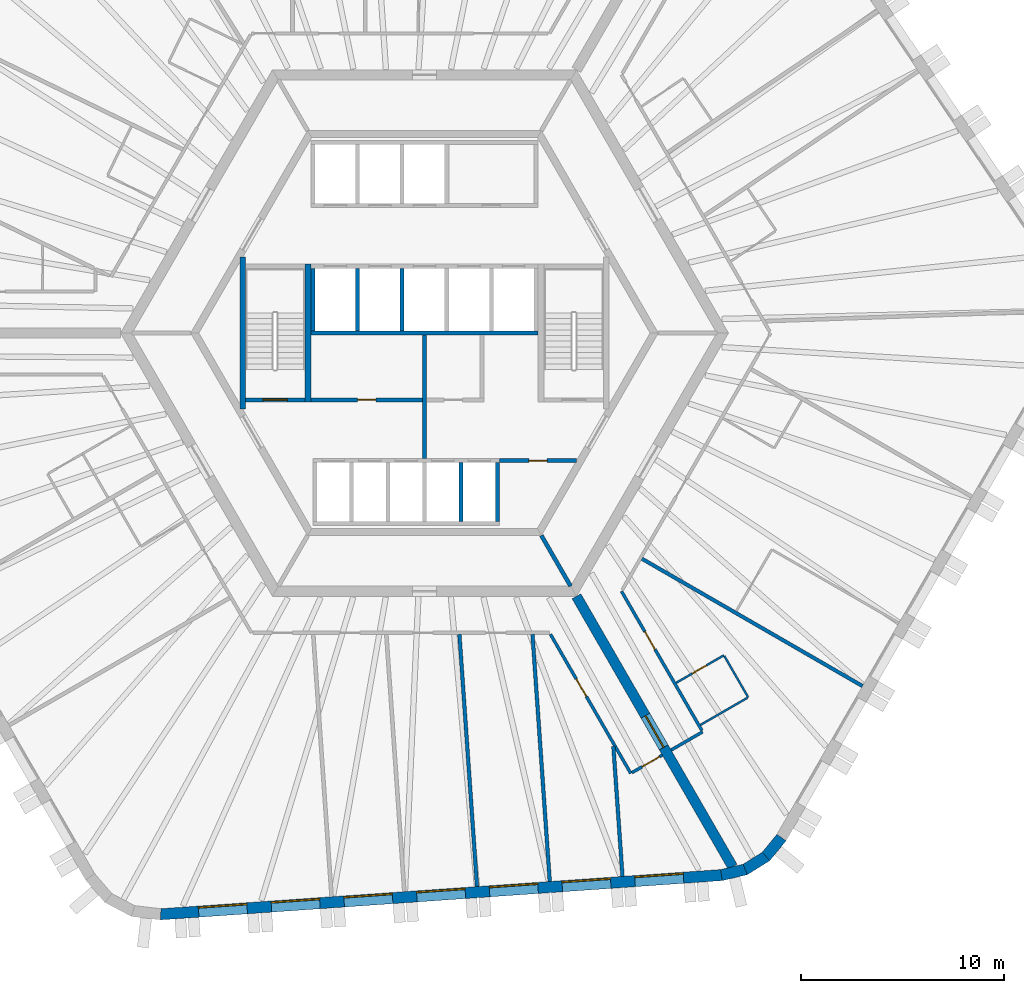
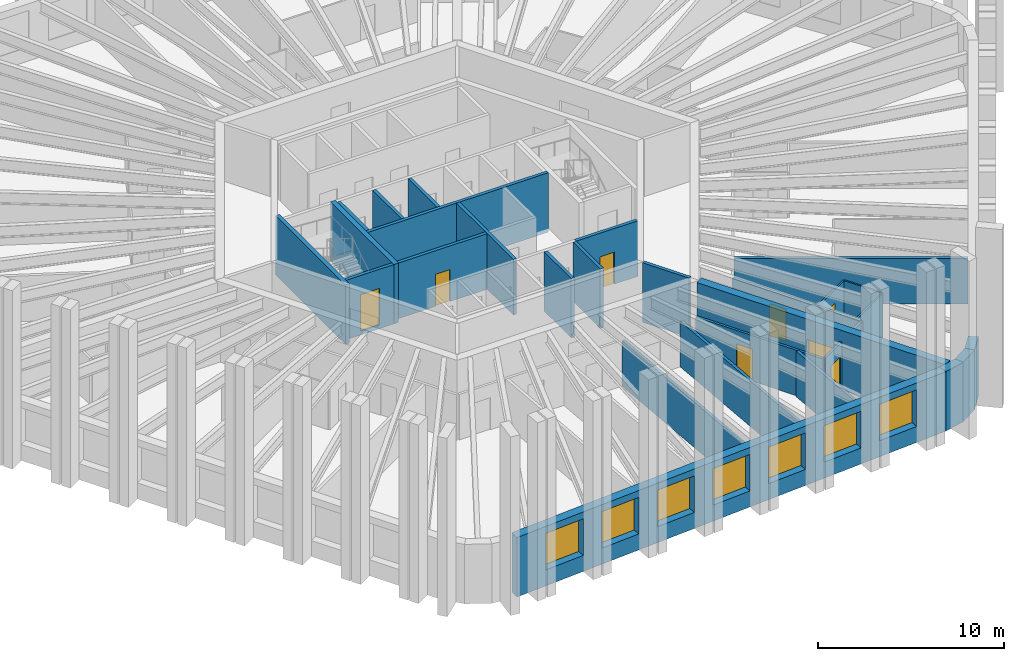
# One storey, part 4 of 10: 29 walls, 8 doors, 7 windows, 15 openings.
"""IFC4 building model written with IfcOpenShell, lengths in metres."""

from ifc_helpers import new_model, si_unit, direction, frame, frame_2d, origin, place, context, subcontext, project, spatial, polyline, rectangle, outline, extrude, material, layer, layer_set, type_object, element, fill, save


model = new_model("IFC4")

# Units and contexts
model_context = context("Model", 3, precision=1e-05, world=origin(), true_north=direction((0.0, 1.0)))
body_context = subcontext(model_context, "Body", "Model", "MODEL_VIEW")
ifc_project = project(units=[si_unit("LENGTHUNIT", "METRE"), si_unit("AREAUNIT", "SQUARE_METRE"), si_unit("VOLUMEUNIT", "CUBIC_METRE"), si_unit("PLANEANGLEUNIT", "RADIAN"), si_unit("MASSUNIT", "GRAM", prefix="KILO")], contexts=[model_context])

# Site, building, storey
site_placement = place(None, origin())
site = spatial("IfcSite", under=ifc_project, at=site_placement, CompositionType="ELEMENT")
building_placement = place(site_placement, origin())
building = spatial("IfcBuilding", under=site, at=building_placement, Name="Tarnside Tower", CompositionType="ELEMENT")
storey_placement = place(building_placement, frame((0.0, 0.0, 226.800048828125)))
storey = spatial("IfcBuildingStorey", under=building, at=storey_placement, Name="L54", CompositionType="ELEMENT", Elevation=226.800048828125)

# Wall, opening, door
ifc_material_1 = material(Name="Gypsum board partition on steel studs", Category="steel")
ifc_layer_1 = layer(ifc_material_1, 0.10009765625)
ifc_layer_set_1 = layer_set([ifc_layer_1], Name="Bathroom wall 100")
wall_type_1 = type_object("IfcWallType", Name="Bathroom wall 100", PredefinedType="PARTITIONING", material=ifc_layer_set_1)
wall_1_placement = place(storey_placement, frame((12.4267578125, -17.273681640625, 0.0), z_axis=(0.0, 0.0, 1.0), x_axis=(0.866051307416, 0.49995513091, 0.0)))
wall_1 = element("IfcWall", 1, at=wall_1_placement, inside=storey, type_object=wall_type_1, Name="Bathroom wall 18087", PredefinedType="PARTITIONING", context=body_context, shape_type="SweptSolid", body=[
    extrude(rectangle(XDim=2.724853515625, YDim=0.10009765625, at=frame_2d((1.3623046875, 0.0))), origin(), (0.0, 0.0, 1.0), 2.98779296875),
])
opening_1_placement = place(wall_1_placement, frame((0.925048828125, 0.0, 0.0)))
opening_1 = element("IfcOpeningElement", 2, at=opening_1_placement, cuts=wall_1, Name="Opening D-B1", PredefinedType="OPENING", context=body_context, shape_type="SweptSolid", body=[
    extrude(rectangle(XDim=0.800048828125, YDim=2.10009765625, at=frame_2d((0.39990234375, 1.050048828125))), frame((0.0, 0.06005859375, 0.0), z_axis=(0.0, -1.0, 0.0), x_axis=(1.0, 0.0, 0.0)), (0.0, 0.0, 1.0), 0.1201171875),
])
ifc_material_2 = material(Name="Timber door leaf", Category="wood")
door_type_1 = type_object("IfcDoorType", Name="Bathroom door 800", OperationType="NOTDEFINED", PredefinedType="DOOR", material=ifc_material_2)
door_1_placement = place(opening_1_placement, origin())
door_1 = element("IfcDoor", 3, at=door_1_placement, inside=storey, type_object=door_type_1, Name="Bathroom door 18025", OperationType="SINGLE_SWING_RIGHT", OverallHeight=2.10009765625, OverallWidth=0.800048828125, PredefinedType="DOOR", context=body_context, shape_type="SweptSolid", body=[
    extrude(rectangle(XDim=0.800048828125, YDim=2.10009765625, at=frame_2d((0.39990234375, 1.050048828125))), frame((0.0, 0.02490234375, 0.0), z_axis=(0.0, -1.0, 0.0), x_axis=(1.0, 0.0, 0.0)), (0.0, 0.0, 1.0), 0.050048828125),
])
fill(opening_1, door_1)

# Walls
wall_2_placement = place(storey_placement, frame((14.811767578125, -15.95458984375, 0.0), z_axis=(0.0, 0.0, 1.0), x_axis=(0.499938297808, -0.866061024631, 0.0)))
element("IfcWall", 4, at=wall_2_placement, inside=storey, type_object=wall_type_1, Name="Bathroom wall 18088", PredefinedType="PARTITIONING", context=body_context, shape_type="SweptSolid", body=[
    extrude(rectangle(XDim=2.349853515625, YDim=0.10009765625, at=frame_2d((1.1748046875, 0.0))), origin(), (0.0, 0.0, 1.0), 2.98779296875),
])
wall_3_placement = place(storey_placement, frame((15.943359375, -18.0146484375, 0.0), z_axis=(0.0, 0.0, 1.0), x_axis=(-0.866004723184, -0.50003581814, 0.0)))
element("IfcWall", 5, at=wall_3_placement, inside=storey, type_object=wall_type_1, Name="Bathroom wall 18089", PredefinedType="PARTITIONING", context=body_context, shape_type="SweptSolid", body=[
    extrude(rectangle(XDim=2.675048828125, YDim=0.10009765625, at=frame_2d((1.33740234375, 0.0))), origin(), (0.0, 0.0, 1.0), 2.98779296875),
])

# Wall, opening, door
ifc_material_3 = material(Name="Concrete C40/50", Category="concrete")
ifc_layer_2 = layer(ifc_material_3, 0.199951171875)
ifc_layer_set_2 = layer_set([ifc_layer_2], Name="Core room partition 200 C40/50")
wall_type_2 = type_object("IfcWallType", Name="Core room partition 200 C40/50", PredefinedType="PARTITIONING", material=ifc_layer_set_2)
wall_4_placement = place(storey_placement, frame((-5.60009765625, -3.300048828125, 0.0), z_axis=(0.0, 0.0, 1.0), x_axis=(1.0, 0.0, 0.0)))
wall_4 = element("IfcWall", 6, at=wall_4_placement, inside=storey, type_object=wall_type_2, Name="L54 core partition W3", PredefinedType="PARTITIONING", context=body_context, shape_type="SweptSolid", body=[
    extrude(rectangle(XDim=5.5, YDim=0.199951171875, at=frame_2d((2.75, 0.0))), origin(), (0.0, 0.0, 1.0), 3.64990234375),
])
opening_2_placement = place(wall_4_placement, frame((2.300048828125, 0.0, 0.0)))
opening_2 = element("IfcOpeningElement", 7, at=opening_2_placement, cuts=wall_4, Name="Opening CD-room", PredefinedType="OPENING", context=body_context, shape_type="SweptSolid", body=[
    extrude(rectangle(XDim=0.89990234375, YDim=2.10009765625, at=frame_2d((0.449951171875, 1.050048828125))), frame((0.0, 0.10986328125, 0.0), z_axis=(0.0, -1.0, 0.0), x_axis=(1.0, 0.0, 0.0)), (0.0, 0.0, 1.0), 0.219970703125),
])
ifc_material_4 = material(Name="Steel fire door", Category="steel")
door_type_2 = type_object("IfcDoorType", Name="Room door FD60 900x2100", OperationType="NOTDEFINED", PredefinedType="DOOR", material=ifc_material_4)
door_2_placement = place(opening_2_placement, origin())
door_2 = element("IfcDoor", 8, at=door_2_placement, inside=storey, type_object=door_type_2, Name="L54 core room door W3D", OperationType="SINGLE_SWING_LEFT", OverallHeight=2.10009765625, OverallWidth=0.89990234375, PredefinedType="DOOR", context=body_context, shape_type="SweptSolid", body=[
    extrude(rectangle(XDim=0.89990234375, YDim=2.10009765625, at=frame_2d((0.449951171875, 1.050048828125))), frame((0.0, 0.02490234375, 0.0), z_axis=(0.0, -1.0, 0.0), x_axis=(1.0, 0.0, 0.0)), (0.0, 0.0, 1.0), 0.050048828125),
])
fill(opening_2, door_2)

# Wall
wall_5_placement = place(storey_placement, frame((0.0, -6.199951171875, 0.0), z_axis=(0.0, 0.0, 1.0), x_axis=(0.0, 1.0, 0.0)))
element("IfcWall", 9, at=wall_5_placement, inside=storey, type_object=wall_type_2, Name="L54 core partition X0", PredefinedType="PARTITIONING", context=body_context, shape_type="SweptSolid", body=[
    extrude(rectangle(XDim=6.099853515625, YDim=0.199951171875, at=frame_2d((3.0498046875, 0.0))), origin(), (0.0, 0.0, 1.0), 3.64990234375),
])

# Wall, opening, door
wall_6_placement = place(storey_placement, frame((3.699951171875, -6.300048828125, 0.0), z_axis=(0.0, 0.0, 1.0), x_axis=(1.0, 0.0, 0.0)))
wall_6 = element("IfcWall", 10, at=wall_6_placement, inside=storey, type_object=wall_type_2, Name="L54 core partition R4X", PredefinedType="PARTITIONING", context=body_context, shape_type="SweptSolid", body=[
    extrude(rectangle(XDim=3.8056640625, YDim=0.199951171875, at=frame_2d((1.90283203125, 0.0))), origin(), (0.0, 0.0, 1.0), 3.64990234375),
])
opening_3_placement = place(wall_6_placement, frame((1.452880859375, 0.0, 0.0)))
opening_3 = element("IfcOpeningElement", 11, at=opening_3_placement, cuts=wall_6, Name="Opening CD-room", PredefinedType="OPENING", context=body_context, shape_type="SweptSolid", body=[
    extrude(rectangle(XDim=0.89990234375, YDim=2.10009765625, at=frame_2d((0.449951171875, 1.050048828125))), frame((0.0, 0.10986328125, 0.0), z_axis=(0.0, -1.0, 0.0), x_axis=(1.0, 0.0, 0.0)), (0.0, 0.0, 1.0), 0.219970703125),
])
door_3_placement = place(opening_3_placement, origin())
door_3 = element("IfcDoor", 12, at=door_3_placement, inside=storey, type_object=door_type_2, Name="L54 core room door RX", OperationType="SINGLE_SWING_LEFT", OverallHeight=2.10009765625, OverallWidth=0.89990234375, PredefinedType="DOOR", context=body_context, shape_type="SweptSolid", body=[
    extrude(rectangle(XDim=0.89990234375, YDim=2.10009765625, at=frame_2d((0.449951171875, 1.050048828125))), frame((0.0, 0.02490234375, 0.0), z_axis=(0.0, -1.0, 0.0), x_axis=(1.0, 0.0, 0.0)), (0.0, 0.0, 1.0), 0.050048828125),
])
fill(opening_3, door_3)

ifc_material_5 = material(Name="Concrete C70/85", Category="concrete")
ifc_layer_3 = layer(ifc_material_5, 0.5)
ifc_layer_set_3 = layer_set([ifc_layer_3], Name="Core wall Z2 500 C70/85")
wall_type_3 = type_object("IfcWallType", Name="Core wall Z2 500 C70/85", PredefinedType="SHEAR", material=ifc_layer_set_3)
wall_7_placement = place(storey_placement, frame((7.505615234375, -13.0, -0.150146484375), z_axis=(0.0, 0.0, 1.0), x_axis=(0.499988271576, -0.866032175087, 0.0)))
wall_7 = element("IfcWall", 13, at=wall_7_placement, inside=storey, type_object=wall_type_3, Name="L54 spine wall 3", PredefinedType="SHEAR", context=body_context, shape_type="SweptSolid", body=[
    extrude(rectangle(XDim=15.423583984375, YDim=0.5, at=frame_2d((7.7119140625, 0.0))), origin(), (0.0, 0.0, 1.0), 3.900146484375),
])
opening_4_placement = place(wall_7_placement, frame((6.811767578125, 0.0, 0.14990234375)))
opening_4 = element("IfcOpeningElement", 14, at=opening_4_placement, cuts=wall_7, Name="Opening CD-SPN", PredefinedType="OPENING", context=body_context, shape_type="SweptSolid", body=[
    extrude(rectangle(XDim=1.800048828125, YDim=2.39990234375, at=frame_2d((0.89990234375, 1.199951171875))), frame((0.0, 0.260009765625, 0.0), z_axis=(0.0, -1.0, 0.0), x_axis=(1.0, 0.0, 0.0)), (0.0, 0.0, 1.0), 0.52001953125),
])
door_type_3 = type_object("IfcDoorType", Name="Spine passage double door FD60 1800x2400", OperationType="NOTDEFINED", PredefinedType="DOOR", material=ifc_material_4)
door_4_placement = place(opening_4_placement, origin())
door_4 = element("IfcDoor", 15, at=door_4_placement, inside=storey, type_object=door_type_3, Name="L54 spine passage door 3", OperationType="DOUBLE_DOOR_SINGLE_SWING", OverallHeight=2.39990234375, OverallWidth=1.800048828125, PredefinedType="DOOR", context=body_context, shape_type="SweptSolid", body=[
    extrude(rectangle(XDim=1.800048828125, YDim=2.39990234375, at=frame_2d((0.89990234375, 1.199951171875))), frame((0.0, 0.02490234375, 0.0), z_axis=(0.0, -1.0, 0.0), x_axis=(1.0, 0.0, 0.0)), (0.0, 0.0, 1.0), 0.050048828125),
])
fill(opening_4, door_4)

ifc_layer_4 = layer(ifc_material_1, 0.14990234375)
ifc_layer_set_4 = layer_set([ifc_layer_4], Name="Corridor wall 150 EI 60")
wall_type_4 = type_object("IfcWallType", Name="Corridor wall 150 EI 60", PredefinedType="PARTITIONING", material=ifc_layer_set_4)
wall_8_placement = place(storey_placement, frame((6.220947265625, -14.875, 0.0), z_axis=(0.0, 0.0, 1.0), x_axis=(0.499989830942, -0.866031274813, 0.0)))
wall_8 = element("IfcWall", 16, at=wall_8_placement, inside=storey, type_object=wall_type_4, Name="Corridor wall 18031", PredefinedType="PARTITIONING", context=body_context, shape_type="SweptSolid", body=[
    extrude(rectangle(XDim=7.930419921875, YDim=0.14990234375, at=frame_2d((3.96533203125, 0.0))), origin(), (0.0, 0.0, 1.0), 2.98779296875),
])
opening_5_placement = place(wall_8_placement, frame((2.552001953125, 0.0, 0.0)))
opening_5 = element("IfcOpeningElement", 17, at=opening_5_placement, cuts=wall_8, Name="Opening D-E1", PredefinedType="OPENING", context=body_context, shape_type="SweptSolid", body=[
    extrude(rectangle(XDim=1.0, YDim=2.10009765625, at=frame_2d((0.5, 1.050048828125))), frame((0.0, 0.0849609375, 0.0), z_axis=(0.0, -1.0, 0.0), x_axis=(1.0, 0.0, 0.0)), (0.0, 0.0, 1.0), 0.169921875),
])
door_type_4 = type_object("IfcDoorType", Name="Unit entrance door 1000 FD30S", OperationType="NOTDEFINED", PredefinedType="DOOR", material=ifc_material_2)
door_5_placement = place(opening_5_placement, origin())
door_5 = element("IfcDoor", 18, at=door_5_placement, inside=storey, type_object=door_type_4, Name="Unit door 18022", OperationType="SINGLE_SWING_RIGHT", OverallHeight=2.10009765625, OverallWidth=1.0, PredefinedType="DOOR", context=body_context, shape_type="SweptSolid", body=[
    extrude(rectangle(XDim=1.0, YDim=2.10009765625, at=frame_2d((0.5, 1.050048828125))), frame((0.0, 0.02490234375, 0.0), z_axis=(0.0, -1.0, 0.0), x_axis=(1.0, 0.0, 0.0)), (0.0, 0.0, 1.0), 0.050048828125),
])
fill(opening_5, door_5)

wall_9_placement = place(storey_placement, frame((10.2509765625, -21.705322265625, 0.0), z_axis=(0.0, 0.0, 1.0), x_axis=(0.866013532718, 0.500020560727, 0.0)))
wall_9 = element("IfcWall", 19, at=wall_9_placement, inside=storey, type_object=wall_type_4, Name="Corridor wall 18033", PredefinedType="PARTITIONING", context=body_context, shape_type="SweptSolid", body=[
    extrude(rectangle(XDim=1.72509765625, YDim=0.14990234375, at=frame_2d((0.862548828125, 0.0))), origin(), (0.0, 0.0, 1.0), 2.98779296875),
])
opening_6_placement = place(wall_9_placement, frame((0.574951171875, 0.0, 0.0)))
opening_6 = element("IfcOpeningElement", 20, at=opening_6_placement, cuts=wall_9, Name="Opening D-E1", PredefinedType="OPENING", context=body_context, shape_type="SweptSolid", body=[
    extrude(rectangle(XDim=1.0, YDim=2.10009765625, at=frame_2d((0.5, 1.050048828125))), frame((0.0, 0.0849609375, 0.0), z_axis=(0.0, -1.0, 0.0), x_axis=(1.0, 0.0, 0.0)), (0.0, 0.0, 1.0), 0.169921875),
])
door_6_placement = place(opening_6_placement, origin())
door_6 = element("IfcDoor", 21, at=door_6_placement, inside=storey, type_object=door_type_4, Name="Unit door 18023", OperationType="SINGLE_SWING_LEFT", OverallHeight=2.10009765625, OverallWidth=1.0, PredefinedType="DOOR", context=body_context, shape_type="SweptSolid", body=[
    extrude(rectangle(XDim=1.0, YDim=2.10009765625, at=frame_2d((0.5, 1.050048828125))), frame((0.0, 0.02490234375, 0.0), z_axis=(0.0, -1.0, 0.0), x_axis=(1.0, 0.0, 0.0)), (0.0, 0.0, 1.0), 0.050048828125),
])
fill(opening_6, door_6)

wall_10_placement = place(storey_placement, frame((13.69921875, -19.6279296875, 0.0), z_axis=(0.0, 0.0, 1.0), x_axis=(-0.499997422768, 0.866026891745, 0.0)))
wall_10 = element("IfcWall", 22, at=wall_10_placement, inside=storey, type_object=wall_type_4, Name="Corridor wall 18034", PredefinedType="PARTITIONING", context=body_context, shape_type="SweptSolid", body=[
    extrude(rectangle(XDim=7.94189453125, YDim=0.14990234375, at=frame_2d((3.970947265625, 0.0))), origin(), (0.0, 0.0, 1.0), 2.98779296875),
])
opening_7_placement = place(wall_10_placement, frame((4.633544921875, 0.0, 0.0)))
opening_7 = element("IfcOpeningElement", 23, at=opening_7_placement, cuts=wall_10, Name="Opening D-E1", PredefinedType="OPENING", context=body_context, shape_type="SweptSolid", body=[
    extrude(rectangle(XDim=1.0, YDim=2.10009765625, at=frame_2d((0.5, 1.050048828125))), frame((0.0, 0.0849609375, 0.0), z_axis=(0.0, -1.0, 0.0), x_axis=(1.0, 0.0, 0.0)), (0.0, 0.0, 1.0), 0.169921875),
])
door_7_placement = place(opening_7_placement, origin())
door_7 = element("IfcDoor", 24, at=door_7_placement, inside=storey, type_object=door_type_4, Name="Unit door 18024", OperationType="SINGLE_SWING_LEFT", OverallHeight=2.10009765625, OverallWidth=1.0, PredefinedType="DOOR", context=body_context, shape_type="SweptSolid", body=[
    extrude(rectangle(XDim=1.0, YDim=2.10009765625, at=frame_2d((0.5, 1.050048828125))), frame((0.0, 0.02490234375, 0.0), z_axis=(0.0, -1.0, 0.0), x_axis=(1.0, 0.0, 0.0)), (0.0, 0.0, 1.0), 0.050048828125),
])
fill(opening_7, door_7)

# Walls
wall_11_placement = place(storey_placement, frame((12.177978515625, -20.5927734375, 0.0), z_axis=(0.0, 0.0, 1.0), x_axis=(0.866047807691, 0.499961193289, 0.0)))
element("IfcWall", 25, at=wall_11_placement, inside=storey, type_object=wall_type_4, Name="Corridor wall 18036", PredefinedType="PARTITIONING", context=body_context, shape_type="SweptSolid", body=[
    extrude(rectangle(XDim=1.800048828125, YDim=0.14990234375, at=frame_2d((0.89990234375, 0.0))), origin(), (0.0, 0.0, 1.0), 2.98779296875),
])
ifc_layer_5 = layer(ifc_material_1, 0.179931640625)
ifc_layer_set_5 = layer_set([ifc_layer_5], Name="Demising wall 180 EI 60")
wall_type_5 = type_object("IfcWallType", Name="Demising wall 180 EI 60", PredefinedType="PARTITIONING", material=ifc_layer_set_5)
wall_12_placement = place(storey_placement, frame((2.59521484375, -27.33544921875, 0.0), z_axis=(0.0, 0.0, 1.0), x_axis=(-0.069757939761, 0.997563947745, 0.0)))
element("IfcWall", 26, at=wall_12_placement, inside=storey, type_object=wall_type_5, Name="Demising wall 18084", PredefinedType="PARTITIONING", context=body_context, shape_type="SweptSolid", body=[
    extrude(rectangle(XDim=12.490966796875, YDim=0.179931640625, at=frame_2d((6.24560546875, 0.0))), origin(), (0.0, 0.0, 1.0), 2.98779296875),
])
wall_13_placement = place(storey_placement, frame((6.1865234375, -27.08447265625, 0.0), z_axis=(0.0, 0.0, 1.0), x_axis=(-0.069755682409, 0.997564105595, 0.0)))
element("IfcWall", 27, at=wall_13_placement, inside=storey, type_object=wall_type_5, Name="Demising wall 18085", PredefinedType="PARTITIONING", context=body_context, shape_type="SweptSolid", body=[
    extrude(rectangle(XDim=12.2392578125, YDim=0.179931640625, at=frame_2d((6.11962890625, 0.0))), origin(), (0.0, 0.0, 1.0), 2.98779296875),
])
wall_14_placement = place(storey_placement, frame((9.777587890625, -26.833251953125, 0.0), z_axis=(0.0, 0.0, 1.0), x_axis=(-0.069733334443, 0.997565668048, 0.0)))
element("IfcWall", 28, at=wall_14_placement, inside=storey, type_object=wall_type_5, Name="Demising wall 18086", PredefinedType="PARTITIONING", context=body_context, shape_type="SweptSolid", body=[
    extrude(rectangle(XDim=6.44189453125, YDim=0.179931640625, at=frame_2d((3.220947265625, 0.0))), origin(), (0.0, 0.0, 1.0), 2.98779296875),
])
wall_15_placement = place(storey_placement, frame((21.63134765625, -17.433349609375, 0.0), z_axis=(0.0, 0.0, 1.0), x_axis=(-0.866032662629, 0.499987427101, 0.0)))
element("IfcWall", 29, at=wall_15_placement, inside=storey, type_object=wall_type_5, Name="Demising wall 18090", PredefinedType="PARTITIONING", context=body_context, shape_type="SweptSolid", body=[
    extrude(rectangle(XDim=12.574951171875, YDim=0.179931640625, at=frame_2d((6.28759765625, 0.0))), origin(), (0.0, 0.0, 1.0), 2.98779296875),
])
ifc_layer_6 = layer(ifc_material_3, 0.199951171875)
ifc_layer_set_6 = layer_set([ifc_layer_6], Name="Lift shaft wall 200 C40/50")
wall_type_6 = type_object("IfcWallType", Name="Lift shaft wall 200 C40/50", PredefinedType="SHEAR", material=ifc_layer_set_6)
wall_16_placement = place(storey_placement, frame((-5.60009765625, 0.0, -0.25), z_axis=(0.0, 0.0, 1.0), x_axis=(1.0, 0.0, 0.0)))
element("IfcWall", 30, at=wall_16_placement, inside=storey, type_object=wall_type_6, Name="L54 lift shaft back wall R2", PredefinedType="SHEAR", context=body_context, shape_type="SweptSolid", body=[
    extrude(rectangle(XDim=11.2001953125, YDim=0.199951171875, at=frame_2d((5.60009765625, 0.0))), origin(), (0.0, 0.0, 1.0), 3.89990234375),
])
for number, where, z_axis, x_axis, name in (
    (31, (-5.5, 0.10009765625, -0.25), (0.0, 0.0, 1.0), (0.0, 1.0, 0.0), "L54 lift shaft partition R21"),
    (32, (-3.300048828125, 0.10009765625, -0.25), (0.0, 0.0, 1.0), (0.0, 1.0, 0.0), "L54 lift shaft partition R22"),
    (33, (-1.10009765625, 0.10009765625, -0.25), (0.0, 0.0, 1.0), (0.0, 1.0, 0.0), "L54 lift shaft partition R23"),
):
    element("IfcWall", number, at=place(storey_placement, frame(where, z_axis=z_axis, x_axis=x_axis)), inside=storey, type_object=wall_type_6, Name=name, PredefinedType="SHEAR", context=body_context, shape_type="SweptSolid", body=[
        extrude(rectangle(XDim=3.099853515625, YDim=0.199951171875, at=frame_2d((1.5498046875, 0.0))), origin(), (0.0, 0.0, 1.0), 3.89990234375),
    ])
for number, where, z_axis, x_axis, name in (
    (34, (1.800048828125, -9.300048828125, -0.25), (0.0, 0.0, 1.0), (0.0, 1.0, 0.0), "L54 lift shaft partition R45"),
    (35, (3.60009765625, -9.300048828125, -0.25), (0.0, 0.0, 1.0), (0.0, 1.0, 0.0), "L54 lift shaft partition R46"),
):
    element("IfcWall", number, at=place(storey_placement, frame(where, z_axis=z_axis, x_axis=x_axis)), inside=storey, type_object=wall_type_6, Name=name, PredefinedType="SHEAR", context=body_context, shape_type="SweptSolid", body=[
        extrude(rectangle(XDim=2.900146484375, YDim=0.199951171875, at=frame_2d((1.4501953125, 0.0))), origin(), (0.0, 0.0, 1.0), 3.89990234375),
    ])
wall_17_placement = place(storey_placement, frame((5.7734375, -10.0, -0.150146484375), z_axis=(0.0, 0.0, 1.0), x_axis=(0.499995765644, -0.866027848477, 0.0)))
element("IfcWall", 36, at=wall_17_placement, inside=storey, type_object=wall_type_6, Name="L54 core partition AR300", PredefinedType="SHEAR", context=body_context, shape_type="SweptSolid", body=[
    extrude(rectangle(XDim=2.88671875, YDim=0.199951171875, at=frame_2d((1.443359375, 0.0))), origin(), (0.0, 0.0, 1.0), 3.900146484375),
])

# Wall, opening, door
wall_18_placement = place(storey_placement, frame((-8.85009765625, -3.300048828125, -0.25), z_axis=(0.0, 0.0, 1.0), x_axis=(1.0, 0.0, 0.0)))
wall_18 = element("IfcWall", 37, at=wall_18_placement, inside=storey, type_object=wall_type_6, Name="L54 stair 2 enclosure cap wall s", PredefinedType="SHEAR", context=body_context, shape_type="SweptSolid", body=[
    extrude(rectangle(XDim=2.9501953125, YDim=0.199951171875, at=frame_2d((1.47509765625, 0.0))), origin(), (0.0, 0.0, 1.0), 3.89990234375),
])
opening_8_placement = place(wall_18_placement, frame((0.875, 0.0, 0.25)))
opening_8 = element("IfcOpeningElement", 38, at=opening_8_placement, cuts=wall_18, Name="Opening CD-STR", PredefinedType="OPENING", context=body_context, shape_type="SweptSolid", body=[
    extrude(rectangle(XDim=1.199951171875, YDim=2.39990234375, at=frame_2d((0.60009765625, 1.199951171875))), frame((0.0, 0.10986328125, 0.0), z_axis=(0.0, -1.0, 0.0), x_axis=(1.0, 0.0, 0.0)), (0.0, 0.0, 1.0), 0.219970703125),
])
door_type_5 = type_object("IfcDoorType", Name="Stair door FD60S 1200x2400", OperationType="NOTDEFINED", PredefinedType="DOOR", material=ifc_material_4)
door_8_placement = place(opening_8_placement, origin())
door_8 = element("IfcDoor", 39, at=door_8_placement, inside=storey, type_object=door_type_5, Name="L54 stair 2 door", OperationType="SINGLE_SWING_LEFT", OverallHeight=2.39990234375, OverallWidth=1.199951171875, PredefinedType="DOOR", context=body_context, shape_type="SweptSolid", body=[
    extrude(rectangle(XDim=1.199951171875, YDim=2.39990234375, at=frame_2d((0.60009765625, 1.199951171875))), frame((0.0, 0.02490234375, 0.0), z_axis=(0.0, -1.0, 0.0), x_axis=(1.0, 0.0, 0.0)), (0.0, 0.0, 1.0), 0.050048828125),
])
fill(opening_8, door_8)

# Walls
ifc_layer_7 = layer(ifc_material_3, 0.25)
ifc_layer_set_7 = layer_set([ifc_layer_7], Name="Stair enclosure wall 250 C40/50")
wall_type_7 = type_object("IfcWallType", Name="Stair enclosure wall 250 C40/50", PredefinedType="SHEAR", material=ifc_layer_set_7)
wall_19_placement = place(storey_placement, frame((-8.97509765625, -3.7548828125, -0.25), z_axis=(0.0, 0.0, 1.0), x_axis=(0.0, 1.0, 0.0)))
element("IfcWall", 40, at=wall_19_placement, inside=storey, type_object=wall_type_7, Name="L54 stair 2 enclosure wall outer", PredefinedType="SHEAR", context=body_context, shape_type="SweptSolid", body=[
    extrude(rectangle(XDim=7.509765625, YDim=0.25, at=frame_2d((3.7548828125, 0.0))), origin(), (0.0, 0.0, 1.0), 3.89990234375),
])
ifc_layer_8 = layer(ifc_material_3, 0.300048828125)
ifc_layer_set_8 = layer_set([ifc_layer_8], Name="Stair enclosure wall 300 C40/50")
wall_type_8 = type_object("IfcWallType", Name="Stair enclosure wall 300 C40/50", PredefinedType="SHEAR", material=ifc_layer_set_8)
wall_20_placement = place(storey_placement, frame((-5.75, -3.39990234375, -0.25), z_axis=(0.0, 0.0, 1.0), x_axis=(0.0, 1.0, 0.0)))
element("IfcWall", 41, at=wall_20_placement, inside=storey, type_object=wall_type_8, Name="L54 stair 2 enclosure wall inner", PredefinedType="SHEAR", context=body_context, shape_type="SweptSolid", body=[
    extrude(rectangle(XDim=6.7998046875, YDim=0.300048828125, at=frame_2d((3.39990234375, 0.0))), origin(), (0.0, 0.0, 1.0), 3.89990234375),
])

# Wall, openings, windows
ifc_material_6 = material(Name="Facing brick", Category="masonry")
ifc_layer_9 = layer(ifc_material_6, 0.10205078125)
ifc_material_7 = material(Name="Concrete C60/75 precast", Category="concrete")
ifc_layer_10 = layer(ifc_material_7, 0.347900390625)
ifc_material_8 = material(Name="Mineral wool insulation")
ifc_layer_11 = layer(ifc_material_8, 0.10009765625)
ifc_layer_set_9 = layer_set([ifc_layer_9, ifc_layer_10, ifc_layer_11], Name="Tube wall 550 brick faced")
wall_type_9 = type_object("IfcWallType", Name="Tube wall 550 brick faced", PredefinedType="SOLIDWALL", material=ifc_layer_set_9)
wall_21_placement = place(storey_placement, frame((-13.0263671875, -28.70361328125, -0.150146484375), z_axis=(0.0, 0.0, 1.0), x_axis=(0.99756406806, 0.069756219185, 0.0)))
wall_21 = element("IfcWall", 42, at=wall_21_placement, inside=storey, type_object=wall_type_9, Name="Tube wall L54 F4 flush 12", PredefinedType="SOLIDWALL", context=body_context, shape_type="SweptSolid", body=[
    extrude(outline(polyline([(-0.025634765625, -0.27490234375), (27.7802734375, -0.27490234375), (27.7353515625, 0.27490234375), (0.025634765625, 0.27490234375), (-0.025634765625, -0.27490234375)])), origin(), (0.0, 0.0, 1.0), 3.900146484375),
])
opening_9_placement = place(wall_21_placement, frame((1.87890625, 0.0, 1.050048828125)))
opening_9 = element("IfcOpeningElement", 43, at=opening_9_placement, cuts=wall_21, Name="Opening WH", PredefinedType="OPENING", context=body_context, shape_type="SweptSolid", body=[
    extrude(rectangle(XDim=2.39990234375, YDim=2.39990234375, at=frame_2d((1.199951171875, 1.199951171875))), frame((0.0, 0.28515625, 0.0), z_axis=(0.0, -1.0, 0.0), x_axis=(1.0, 0.0, 0.0)), (0.0, 0.0, 1.0), 0.570068359375),
])
opening_10_placement = place(wall_21_placement, frame((5.47900390625, 0.0, 1.050048828125)))
opening_10 = element("IfcOpeningElement", 44, at=opening_10_placement, cuts=wall_21, Name="Opening WH", PredefinedType="OPENING", context=body_context, shape_type="SweptSolid", body=[
    extrude(rectangle(XDim=2.39990234375, YDim=2.39990234375, at=frame_2d((1.199951171875, 1.199951171875))), frame((0.0, 0.28515625, 0.0), z_axis=(0.0, -1.0, 0.0), x_axis=(1.0, 0.0, 0.0)), (0.0, 0.0, 1.0), 0.570068359375),
])
opening_11_placement = place(wall_21_placement, frame((9.078857421875, 0.0, 1.050048828125)))
opening_11 = element("IfcOpeningElement", 45, at=opening_11_placement, cuts=wall_21, Name="Opening WH", PredefinedType="OPENING", context=body_context, shape_type="SweptSolid", body=[
    extrude(rectangle(XDim=2.39990234375, YDim=2.39990234375, at=frame_2d((1.199951171875, 1.199951171875))), frame((0.0, 0.28515625, 0.0), z_axis=(0.0, -1.0, 0.0), x_axis=(1.0, 0.0, 0.0)), (0.0, 0.0, 1.0), 0.570068359375),
])
opening_12_placement = place(wall_21_placement, frame((12.678955078125, 0.0, 1.050048828125)))
opening_12 = element("IfcOpeningElement", 46, at=opening_12_placement, cuts=wall_21, Name="Opening WH", PredefinedType="OPENING", context=body_context, shape_type="SweptSolid", body=[
    extrude(rectangle(XDim=2.39990234375, YDim=2.39990234375, at=frame_2d((1.199951171875, 1.199951171875))), frame((0.0, 0.28515625, 0.0), z_axis=(0.0, -1.0, 0.0), x_axis=(1.0, 0.0, 0.0)), (0.0, 0.0, 1.0), 0.570068359375),
])
opening_13_placement = place(wall_21_placement, frame((16.27880859375, 0.0, 1.050048828125)))
opening_13 = element("IfcOpeningElement", 47, at=opening_13_placement, cuts=wall_21, Name="Opening WH", PredefinedType="OPENING", context=body_context, shape_type="SweptSolid", body=[
    extrude(rectangle(XDim=2.39990234375, YDim=2.39990234375, at=frame_2d((1.199951171875, 1.199951171875))), frame((0.0, 0.28515625, 0.0), z_axis=(0.0, -1.0, 0.0), x_axis=(1.0, 0.0, 0.0)), (0.0, 0.0, 1.0), 0.570068359375),
])
opening_14_placement = place(wall_21_placement, frame((19.87890625, 0.0, 1.050048828125)))
opening_14 = element("IfcOpeningElement", 48, at=opening_14_placement, cuts=wall_21, Name="Opening WH", PredefinedType="OPENING", context=body_context, shape_type="SweptSolid", body=[
    extrude(rectangle(XDim=2.39990234375, YDim=2.39990234375, at=frame_2d((1.199951171875, 1.199951171875))), frame((0.0, 0.28515625, 0.0), z_axis=(0.0, -1.0, 0.0), x_axis=(1.0, 0.0, 0.0)), (0.0, 0.0, 1.0), 0.570068359375),
])
opening_15_placement = place(wall_21_placement, frame((23.47900390625, 0.0, 1.050048828125)))
opening_15 = element("IfcOpeningElement", 49, at=opening_15_placement, cuts=wall_21, Name="Opening WH", PredefinedType="OPENING", context=body_context, shape_type="SweptSolid", body=[
    extrude(rectangle(XDim=2.39990234375, YDim=2.39990234375, at=frame_2d((1.199951171875, 1.199951171875))), frame((0.0, 0.28515625, 0.0), z_axis=(0.0, -1.0, 0.0), x_axis=(1.0, 0.0, 0.0)), (0.0, 0.0, 1.0), 0.570068359375),
])
ifc_material_9 = material(Name="Aluminium-framed double glazing", Category="aluminium")
window_type = type_object("IfcWindowType", Name="Hotel window 2400 x 2400", PartitioningType="DOUBLE_PANEL_VERTICAL", PredefinedType="WINDOW", material=ifc_material_9)
window_1_placement = place(opening_9_placement, frame((0.0, 0.205078125, 0.0)))
window_1 = element("IfcWindow", 50, at=window_1_placement, inside=storey, type_object=window_type, Name="E.WN.L54.F4.00", OverallHeight=2.39990234375, OverallWidth=2.39990234375, PartitioningType="DOUBLE_PANEL_VERTICAL", PredefinedType="WINDOW", context=body_context, shape_type="SweptSolid", body=[
    extrude(rectangle(XDim=2.39990234375, YDim=2.39990234375, at=frame_2d((1.199951171875, 1.199951171875))), frame((0.0, 0.030029296875, 0.0), z_axis=(0.0, -1.0, 0.0), x_axis=(1.0, 0.0, 0.0)), (0.0, 0.0, 1.0), 0.06005859375),
])
fill(opening_9, window_1)
window_2_placement = place(opening_10_placement, frame((0.0, 0.205078125, 0.0)))
window_2 = element("IfcWindow", 51, at=window_2_placement, inside=storey, type_object=window_type, Name="E.WN.L54.F4.01", OverallHeight=2.39990234375, OverallWidth=2.39990234375, PartitioningType="DOUBLE_PANEL_VERTICAL", PredefinedType="WINDOW", context=body_context, shape_type="SweptSolid", body=[
    extrude(rectangle(XDim=2.39990234375, YDim=2.39990234375, at=frame_2d((1.199951171875, 1.199951171875))), frame((0.0, 0.030029296875, 0.0), z_axis=(0.0, -1.0, 0.0), x_axis=(1.0, 0.0, 0.0)), (0.0, 0.0, 1.0), 0.06005859375),
])
fill(opening_10, window_2)
window_3_placement = place(opening_11_placement, frame((0.0, 0.205078125, 0.0)))
window_3 = element("IfcWindow", 52, at=window_3_placement, inside=storey, type_object=window_type, Name="E.WN.L54.F4.02", OverallHeight=2.39990234375, OverallWidth=2.39990234375, PartitioningType="DOUBLE_PANEL_VERTICAL", PredefinedType="WINDOW", context=body_context, shape_type="SweptSolid", body=[
    extrude(rectangle(XDim=2.39990234375, YDim=2.39990234375, at=frame_2d((1.199951171875, 1.199951171875))), frame((0.0, 0.030029296875, 0.0), z_axis=(0.0, -1.0, 0.0), x_axis=(1.0, 0.0, 0.0)), (0.0, 0.0, 1.0), 0.06005859375),
])
fill(opening_11, window_3)
window_4_placement = place(opening_12_placement, frame((0.0, 0.205078125, 0.0)))
window_4 = element("IfcWindow", 53, at=window_4_placement, inside=storey, type_object=window_type, Name="E.WN.L54.F4.03", OverallHeight=2.39990234375, OverallWidth=2.39990234375, PartitioningType="DOUBLE_PANEL_VERTICAL", PredefinedType="WINDOW", context=body_context, shape_type="SweptSolid", body=[
    extrude(rectangle(XDim=2.39990234375, YDim=2.39990234375, at=frame_2d((1.199951171875, 1.199951171875))), frame((0.0, 0.030029296875, 0.0), z_axis=(0.0, -1.0, 0.0), x_axis=(1.0, 0.0, 0.0)), (0.0, 0.0, 1.0), 0.06005859375),
])
fill(opening_12, window_4)
window_5_placement = place(opening_13_placement, frame((0.0, 0.205078125, 0.0)))
window_5 = element("IfcWindow", 54, at=window_5_placement, inside=storey, type_object=window_type, Name="E.WN.L54.F4.04", OverallHeight=2.39990234375, OverallWidth=2.39990234375, PartitioningType="DOUBLE_PANEL_VERTICAL", PredefinedType="WINDOW", context=body_context, shape_type="SweptSolid", body=[
    extrude(rectangle(XDim=2.39990234375, YDim=2.39990234375, at=frame_2d((1.199951171875, 1.199951171875))), frame((0.0, 0.030029296875, 0.0), z_axis=(0.0, -1.0, 0.0), x_axis=(1.0, 0.0, 0.0)), (0.0, 0.0, 1.0), 0.06005859375),
])
fill(opening_13, window_5)
window_6_placement = place(opening_14_placement, frame((0.0, 0.205078125, 0.0)))
window_6 = element("IfcWindow", 55, at=window_6_placement, inside=storey, type_object=window_type, Name="E.WN.L54.F4.05", OverallHeight=2.39990234375, OverallWidth=2.39990234375, PartitioningType="DOUBLE_PANEL_VERTICAL", PredefinedType="WINDOW", context=body_context, shape_type="SweptSolid", body=[
    extrude(rectangle(XDim=2.39990234375, YDim=2.39990234375, at=frame_2d((1.199951171875, 1.199951171875))), frame((0.0, 0.030029296875, 0.0), z_axis=(0.0, -1.0, 0.0), x_axis=(1.0, 0.0, 0.0)), (0.0, 0.0, 1.0), 0.06005859375),
])
fill(opening_14, window_6)
window_7_placement = place(opening_15_placement, frame((0.0, 0.205078125, 0.0)))
window_7 = element("IfcWindow", 56, at=window_7_placement, inside=storey, type_object=window_type, Name="E.WN.L54.F4.06", OverallHeight=2.39990234375, OverallWidth=2.39990234375, PartitioningType="DOUBLE_PANEL_VERTICAL", PredefinedType="WINDOW", context=body_context, shape_type="SweptSolid", body=[
    extrude(rectangle(XDim=2.39990234375, YDim=2.39990234375, at=frame_2d((1.199951171875, 1.199951171875))), frame((0.0, 0.030029296875, 0.0), z_axis=(0.0, -1.0, 0.0), x_axis=(1.0, 0.0, 0.0)), (0.0, 0.0, 1.0), 0.06005859375),
])
fill(opening_15, window_7)

# Walls
wall_22_placement = place(storey_placement, frame((14.663818359375, -26.767333984375, -0.150146484375), z_axis=(0.0, 0.0, 1.0), x_axis=(0.973063591128, 0.230536868247, 0.0)))
element("IfcWall", 57, at=wall_22_placement, inside=storey, type_object=wall_type_9, Name="Tube wall L54 F4 chord 13", PredefinedType="SOLIDWALL", context=body_context, shape_type="SweptSolid", body=[
    extrude(outline(polyline([(-0.0224609375, -0.27490234375), (1.25341796875, -0.27490234375), (1.1630859375, 0.27490234375), (0.0224609375, 0.27490234375), (-0.0224609375, -0.27490234375)])), origin(), (0.0, 0.0, 1.0), 3.900146484375),
])
wall_23_placement = place(storey_placement, frame((15.839599609375, -26.48876953125, -0.150146484375), z_axis=(0.0, 0.0, 1.0), x_axis=(0.848009655012, 0.52998077796, 0.0)))
element("IfcWall", 58, at=wall_23_placement, inside=storey, type_object=wall_type_9, Name="Tube wall L54 F4 chord 14", PredefinedType="SOLIDWALL", context=body_context, shape_type="SweptSolid", body=[
    extrude(outline(polyline([(-0.045166015625, -0.27490234375), (1.25341796875, -0.27490234375), (1.1630859375, 0.27490234375), (0.045166015625, 0.27490234375), (-0.045166015625, -0.27490234375)])), origin(), (0.0, 0.0, 1.0), 3.900146484375),
])
wall_24_placement = place(storey_placement, frame((16.8642578125, -25.848388671875, -0.150146484375), z_axis=(0.0, 0.0, 1.0), x_axis=(0.633842757806, 0.773461930787, 0.0)))
element("IfcWall", 59, at=wall_24_placement, inside=storey, type_object=wall_type_9, Name="Tube wall L54 F4 chord 15", PredefinedType="SOLIDWALL", context=body_context, shape_type="SweptSolid", body=[
    extrude(outline(polyline([(-0.045166015625, -0.27490234375), (1.230712890625, -0.27490234375), (1.185791015625, 0.27490234375), (0.045166015625, 0.27490234375), (-0.045166015625, -0.27490234375)])), origin(), (0.0, 0.0, 1.0), 3.900146484375),
])

save(model, "model.ifc")
